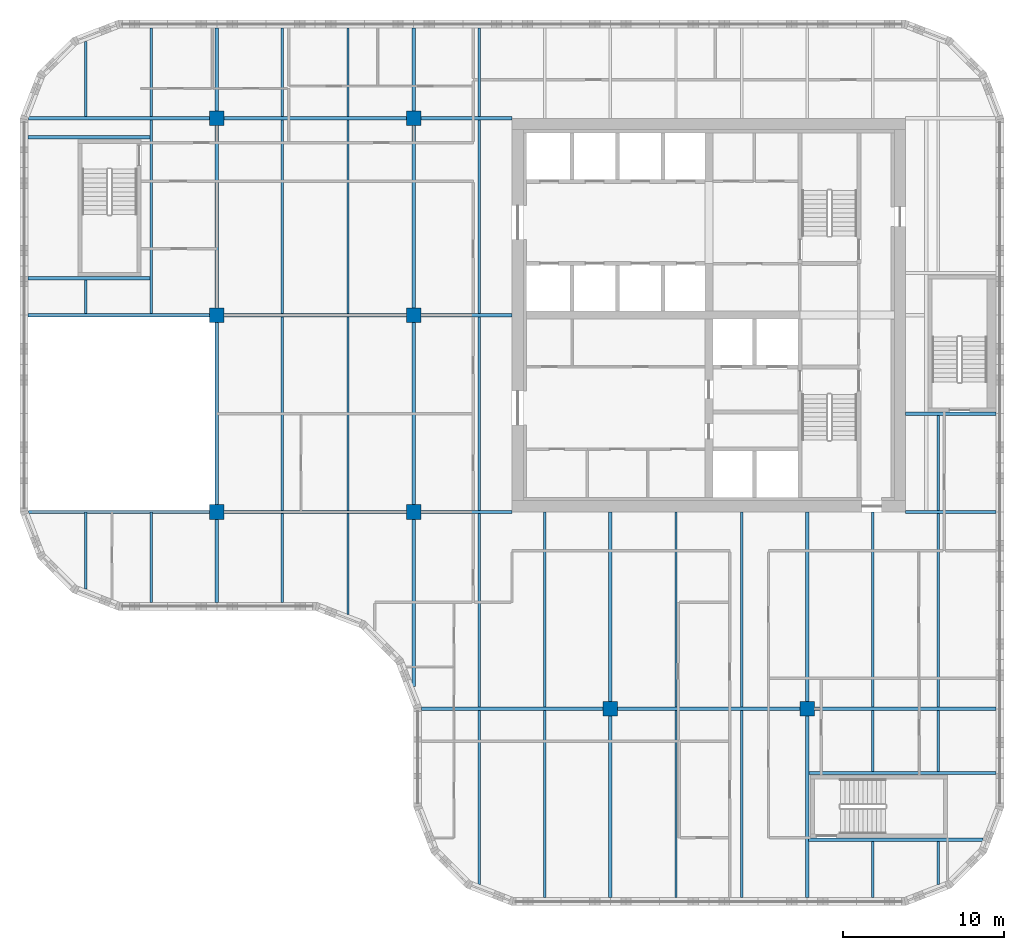
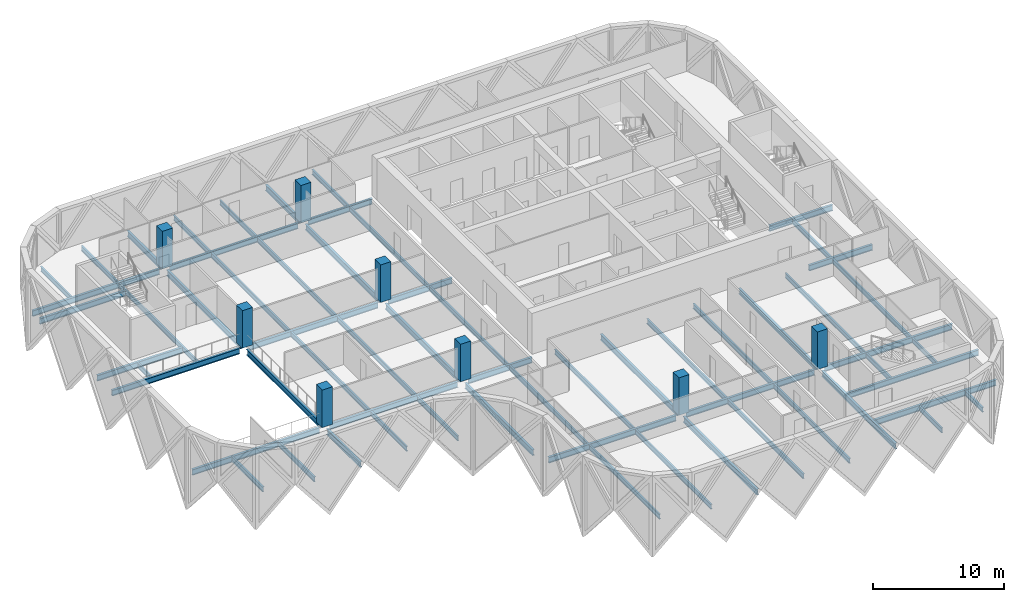
# One storey, part 1 of 15: 62 beams, 8 columns.
"""IFC4 building model written with IfcOpenShell, lengths in metres."""

from ifc_helpers import new_model, si_unit, direction, frame, origin, origin_2d, place, context, subcontext, project, spatial, rectangle, i_section, extrude, material, material_profile, profile_set, type_object, element, save


model = new_model("IFC4")

# Units and contexts
model_context = context("Model", 3, precision=1e-05, world=origin(), true_north=direction((0.0, 1.0)))
body_context = subcontext(model_context, "Body", "Model", "MODEL_VIEW")
ifc_project = project(units=[si_unit("LENGTHUNIT", "METRE"), si_unit("AREAUNIT", "SQUARE_METRE"), si_unit("VOLUMEUNIT", "CUBIC_METRE"), si_unit("PLANEANGLEUNIT", "RADIAN"), si_unit("MASSUNIT", "GRAM", prefix="KILO")], contexts=[model_context])

# Site, building, storey
site_placement = place(None, origin())
site = spatial("IfcSite", under=ifc_project, at=site_placement, CompositionType="ELEMENT")
building_placement = place(site_placement, origin())
building = spatial("IfcBuilding", under=site, at=building_placement, Name="Tessera Gate Towers", CompositionType="ELEMENT")
storey_placement = place(building_placement, frame((0.0, 0.0, 146.800048828125)))
storey = spatial("IfcBuildingStorey", under=building, at=storey_placement, Name="L36", CompositionType="ELEMENT", Elevation=146.800048828125)

# Columns
ifc_material_1 = material(Name="Concrete C70/85", Category="concrete")
ifc_material_profile_1 = material_profile(ifc_material_1, rectangle(XDim=0.89990234375, YDim=0.89990234375, at=origin_2d()), Name="RC 900x900")
ifc_profile_set_1 = profile_set([ifc_material_profile_1], Name="Concrete C70/85")
column_type = type_object("IfcColumnType", Name="COLUMN RC 900x900", PredefinedType="COLUMN", material=ifc_profile_set_1)
for number, where, z_axis, x_axis, name in (
    (1, (12.199951171875, 24.39990234375, 0.0), (0.0, 0.0, 1.0), (1.0, 0.0, 0.0), "T1-COL-2C-L36"),
    (2, (12.199951171875, 36.60009765625, 0.0), (0.0, 0.0, 1.0), (1.0, 0.0, 0.0), "T1-COL-2D-L36"),
    (3, (12.199951171875, 48.800048828125, 0.0), (0.0, 0.0, 1.0), (1.0, 0.0, 0.0), "T1-COL-2E-L36"),
    (4, (24.39990234375, 24.39990234375, 0.0), (0.0, 0.0, 1.0), (1.0, 0.0, 0.0), "T1-COL-3C-L36"),
    (5, (24.39990234375, 36.60009765625, 0.0), (0.0, 0.0, 1.0), (1.0, 0.0, 0.0), "T1-COL-3D-L36"),
    (6, (24.39990234375, 48.800048828125, 0.0), (0.0, 0.0, 1.0), (1.0, 0.0, 0.0), "T1-COL-3E-L36"),
    (7, (36.60009765625, 12.199951171875, 0.0), (0.0, 0.0, 1.0), (1.0, 0.0, 0.0), "T1-COL-4B-L36"),
    (8, (48.800048828125, 12.199951171875, 0.0), (0.0, 0.0, 1.0), (1.0, 0.0, 0.0), "T1-COL-5B-L36"),
):
    element("IfcColumn", number, at=place(storey_placement, frame(where, z_axis=z_axis, x_axis=x_axis)), inside=storey, type_object=column_type, Name=name, PredefinedType="COLUMN", context=body_context, shape_type="SweptSolid", body=[
        extrude(rectangle(XDim=0.89990234375, YDim=0.89990234375, at=origin_2d()), origin(), (0.0, 0.0, 1.0), 3.5),
    ])

# Beams
ifc_material_2 = material(Name="Steel 350W", Category="steel")
ifc_material_profile_2 = material_profile(ifc_material_2, i_section(OverallWidth=0.208984375, OverallDepth=0.532958984375, WebThickness=0.01025390625, FlangeThickness=0.015625, at=origin_2d()), Name="W530x92")
ifc_profile_set_2 = profile_set([ifc_material_profile_2], Name="Steel 350W")
beam_type_1 = type_object("IfcBeamType", Name="FLOOR GIRDER W530x92", PredefinedType="BEAM", material=ifc_profile_set_2)
beam_1_placement = place(storey_placement, frame((24.89892578125, 12.199951171875, -0.466552734375), z_axis=(1.0, 0.0, 0.0), x_axis=(0.0, 1.0, 0.0)))
element("IfcBeam", 9, at=beam_1_placement, inside=storey, type_object=beam_type_1, Name="T1-GD-L36-4222", PredefinedType="BEAM", context=body_context, shape_type="SweptSolid", body=[
    extrude(i_section(OverallWidth=0.208984375, OverallDepth=0.532958984375, WebThickness=0.01025390625, FlangeThickness=0.015625, at=origin_2d()), origin(), (0.0, 0.0, 1.0), 11.2509765625),
])
beam_2_placement = place(storey_placement, frame((37.050048828125, 12.199951171875, -0.466552734375), z_axis=(1.0, 0.0, 0.0), x_axis=(0.0, 1.0, 0.0)))
element("IfcBeam", 10, at=beam_2_placement, inside=storey, type_object=beam_type_1, Name="T1-GD-L36-4223", PredefinedType="BEAM", context=body_context, shape_type="SweptSolid", body=[
    extrude(i_section(OverallWidth=0.208984375, OverallDepth=0.532958984375, WebThickness=0.01025390625, FlangeThickness=0.015625, at=origin_2d()), origin(), (0.0, 0.0, 1.0), 11.300048828125),
])
beam_3_placement = place(storey_placement, frame((49.25, 12.199951171875, -0.466552734375), z_axis=(1.0, 0.0, 0.0), x_axis=(0.0, 1.0, 0.0)))
element("IfcBeam", 11, at=beam_3_placement, inside=storey, type_object=beam_type_1, Name="T1-GD-L36-4224", PredefinedType="BEAM", context=body_context, shape_type="SweptSolid", body=[
    extrude(i_section(OverallWidth=0.208984375, OverallDepth=0.532958984375, WebThickness=0.01025390625, FlangeThickness=0.015625, at=origin_2d()), origin(), (0.0, 0.0, 1.0), 11.2509765625),
])
beam_4_placement = place(storey_placement, frame((0.534912109375, 24.39990234375, -0.466552734375), z_axis=(1.0, 0.0, 0.0), x_axis=(0.0, 1.0, 0.0)))
element("IfcBeam", 12, at=beam_4_placement, inside=storey, type_object=beam_type_1, Name="T1-GD-L36-4225", PredefinedType="BEAM", context=body_context, shape_type="SweptSolid", body=[
    extrude(i_section(OverallWidth=0.208984375, OverallDepth=0.532958984375, WebThickness=0.01025390625, FlangeThickness=0.015625, at=origin_2d()), origin(), (0.0, 0.0, 1.0), 11.215087890625),
])
beam_5_placement = place(storey_placement, frame((12.64990234375, 24.39990234375, -0.466552734375), z_axis=(1.0, 0.0, 0.0), x_axis=(0.0, 1.0, 0.0)))
element("IfcBeam", 13, at=beam_5_placement, inside=storey, type_object=beam_type_1, Name="T1-GD-L36-4226", PredefinedType="BEAM", context=body_context, shape_type="SweptSolid", body=[
    extrude(i_section(OverallWidth=0.208984375, OverallDepth=0.532958984375, WebThickness=0.01025390625, FlangeThickness=0.015625, at=origin_2d()), origin(), (0.0, 0.0, 1.0), 11.300048828125),
])
beam_6_placement = place(storey_placement, frame((24.85009765625, 24.39990234375, -0.466552734375), z_axis=(1.0, 0.0, 0.0), x_axis=(0.0, 1.0, 0.0)))
element("IfcBeam", 14, at=beam_6_placement, inside=storey, type_object=beam_type_1, Name="T1-GD-L36-4227", PredefinedType="BEAM", context=body_context, shape_type="SweptSolid", body=[
    extrude(i_section(OverallWidth=0.208984375, OverallDepth=0.532958984375, WebThickness=0.01025390625, FlangeThickness=0.015625, at=origin_2d()), origin(), (0.0, 0.0, 1.0), 5.64892578125),
])
beam_7_placement = place(storey_placement, frame((54.90087890625, 24.39990234375, -0.466552734375), z_axis=(1.0, 0.0, 0.0), x_axis=(0.0, 1.0, 0.0)))
element("IfcBeam", 15, at=beam_7_placement, inside=storey, type_object=beam_type_1, Name="T1-GD-L36-4228", PredefinedType="BEAM", context=body_context, shape_type="SweptSolid", body=[
    extrude(i_section(OverallWidth=0.208984375, OverallDepth=0.532958984375, WebThickness=0.01025390625, FlangeThickness=0.015625, at=origin_2d()), origin(), (0.0, 0.0, 1.0), 5.60009765625),
])
beam_8_placement = place(storey_placement, frame((0.4990234375, 36.60009765625, -0.466552734375), z_axis=(1.0, 0.0, 0.0), x_axis=(0.0, 1.0, 0.0)))
element("IfcBeam", 16, at=beam_8_placement, inside=storey, type_object=beam_type_1, Name="T1-GD-L36-4229", PredefinedType="BEAM", context=body_context, shape_type="SweptSolid", body=[
    extrude(i_section(OverallWidth=0.208984375, OverallDepth=0.532958984375, WebThickness=0.01025390625, FlangeThickness=0.015625, at=origin_2d()), origin(), (0.0, 0.0, 1.0), 11.2509765625),
])
beam_9_placement = place(storey_placement, frame((12.64990234375, 36.60009765625, -0.466552734375), z_axis=(1.0, 0.0, 0.0), x_axis=(0.0, 1.0, 0.0)))
element("IfcBeam", 17, at=beam_9_placement, inside=storey, type_object=beam_type_1, Name="T1-GD-L36-4230", PredefinedType="BEAM", context=body_context, shape_type="SweptSolid", body=[
    extrude(i_section(OverallWidth=0.208984375, OverallDepth=0.532958984375, WebThickness=0.01025390625, FlangeThickness=0.015625, at=origin_2d()), origin(), (0.0, 0.0, 1.0), 11.300048828125),
])
beam_10_placement = place(storey_placement, frame((24.85009765625, 36.60009765625, -0.466552734375), z_axis=(1.0, 0.0, 0.0), x_axis=(0.0, 1.0, 0.0)))
element("IfcBeam", 18, at=beam_10_placement, inside=storey, type_object=beam_type_1, Name="T1-GD-L36-4231", PredefinedType="BEAM", context=body_context, shape_type="SweptSolid", body=[
    extrude(i_section(OverallWidth=0.208984375, OverallDepth=0.532958984375, WebThickness=0.01025390625, FlangeThickness=0.015625, at=origin_2d()), origin(), (0.0, 0.0, 1.0), 5.65087890625),
])
beam_11_placement = place(storey_placement, frame((0.534912109375, 48.800048828125, -0.466552734375), z_axis=(1.0, 0.0, 0.0), x_axis=(0.0, 1.0, 0.0)))
element("IfcBeam", 19, at=beam_11_placement, inside=storey, type_object=beam_type_1, Name="T1-GD-L36-4233", PredefinedType="BEAM", context=body_context, shape_type="SweptSolid", body=[
    extrude(i_section(OverallWidth=0.208984375, OverallDepth=0.532958984375, WebThickness=0.01025390625, FlangeThickness=0.015625, at=origin_2d()), origin(), (0.0, 0.0, 1.0), 11.215087890625),
])
beam_12_placement = place(storey_placement, frame((12.64990234375, 48.800048828125, -0.466552734375), z_axis=(1.0, 0.0, 0.0), x_axis=(0.0, 1.0, 0.0)))
element("IfcBeam", 20, at=beam_12_placement, inside=storey, type_object=beam_type_1, Name="T1-GD-L36-4234", PredefinedType="BEAM", context=body_context, shape_type="SweptSolid", body=[
    extrude(i_section(OverallWidth=0.208984375, OverallDepth=0.532958984375, WebThickness=0.01025390625, FlangeThickness=0.015625, at=origin_2d()), origin(), (0.0, 0.0, 1.0), 11.300048828125),
])
beam_13_placement = place(storey_placement, frame((24.85009765625, 48.800048828125, -0.466552734375), z_axis=(1.0, 0.0, 0.0), x_axis=(0.0, 1.0, 0.0)))
element("IfcBeam", 21, at=beam_13_placement, inside=storey, type_object=beam_type_1, Name="T1-GD-L36-4235", PredefinedType="BEAM", context=body_context, shape_type="SweptSolid", body=[
    extrude(i_section(OverallWidth=0.208984375, OverallDepth=0.532958984375, WebThickness=0.01025390625, FlangeThickness=0.015625, at=origin_2d()), origin(), (0.0, 0.0, 1.0), 5.64892578125),
])
beam_14_placement = place(storey_placement, frame((12.199951171875, 18.799072265625, -0.466552734375), z_axis=(0.0, 1.0, 0.0), x_axis=(-1.0, 0.0, 0.0)))
element("IfcBeam", 22, at=beam_14_placement, inside=storey, type_object=beam_type_1, Name="T1-GD-L36-4237", PredefinedType="BEAM", context=body_context, shape_type="SweptSolid", body=[
    extrude(i_section(OverallWidth=0.208984375, OverallDepth=0.532958984375, WebThickness=0.01025390625, FlangeThickness=0.015625, at=origin_2d()), origin(), (0.0, 0.0, 1.0), 5.15087890625),
])
beam_15_placement = place(storey_placement, frame((12.199951171875, 24.85009765625, -0.466552734375), z_axis=(0.0, 1.0, 0.0), x_axis=(-1.0, 0.0, 0.0)))
element("IfcBeam", 23, at=beam_15_placement, inside=storey, type_object=beam_type_1, Name="T1-GD-L36-4238", PredefinedType="BEAM", context=body_context, shape_type="SweptSolid", body=[
    extrude(i_section(OverallWidth=0.208984375, OverallDepth=0.532958984375, WebThickness=0.01025390625, FlangeThickness=0.015625, at=origin_2d()), origin(), (0.0, 0.0, 1.0), 11.2998046875),
])
beam_16_placement = place(storey_placement, frame((12.199951171875, 37.050048828125, -0.466552734375), z_axis=(0.0, 1.0, 0.0), x_axis=(-1.0, 0.0, 0.0)))
element("IfcBeam", 24, at=beam_16_placement, inside=storey, type_object=beam_type_1, Name="T1-GD-L36-4239", PredefinedType="BEAM", context=body_context, shape_type="SweptSolid", body=[
    extrude(i_section(OverallWidth=0.208984375, OverallDepth=0.532958984375, WebThickness=0.01025390625, FlangeThickness=0.015625, at=origin_2d()), origin(), (0.0, 0.0, 1.0), 11.300048828125),
])
beam_17_placement = place(storey_placement, frame((12.199951171875, 49.25, -0.466552734375), z_axis=(0.0, 1.0, 0.0), x_axis=(-1.0, 0.0, 0.0)))
element("IfcBeam", 25, at=beam_17_placement, inside=storey, type_object=beam_type_1, Name="T1-GD-L36-4240", PredefinedType="BEAM", context=body_context, shape_type="SweptSolid", body=[
    extrude(i_section(OverallWidth=0.208984375, OverallDepth=0.532958984375, WebThickness=0.01025390625, FlangeThickness=0.015625, at=origin_2d()), origin(), (0.0, 0.0, 1.0), 5.15087890625),
])
beam_18_placement = place(storey_placement, frame((24.39990234375, 13.58642578125, -0.466552734375), z_axis=(0.0, 1.0, 0.0), x_axis=(-1.0, 0.0, 0.0)))
element("IfcBeam", 26, at=beam_18_placement, inside=storey, type_object=beam_type_1, Name="T1-GD-L36-4241", PredefinedType="BEAM", context=body_context, shape_type="SweptSolid", body=[
    extrude(i_section(OverallWidth=0.208984375, OverallDepth=0.532958984375, WebThickness=0.01025390625, FlangeThickness=0.015625, at=origin_2d()), origin(), (0.0, 0.0, 1.0), 10.363525390625),
])
beam_19_placement = place(storey_placement, frame((24.39990234375, 24.85009765625, -0.466552734375), z_axis=(0.0, 1.0, 0.0), x_axis=(-1.0, 0.0, 0.0)))
element("IfcBeam", 27, at=beam_19_placement, inside=storey, type_object=beam_type_1, Name="T1-GD-L36-4242", PredefinedType="BEAM", context=body_context, shape_type="SweptSolid", body=[
    extrude(i_section(OverallWidth=0.208984375, OverallDepth=0.532958984375, WebThickness=0.01025390625, FlangeThickness=0.015625, at=origin_2d()), origin(), (0.0, 0.0, 1.0), 11.2998046875),
])
beam_20_placement = place(storey_placement, frame((24.39990234375, 37.050048828125, -0.466552734375), z_axis=(0.0, 1.0, 0.0), x_axis=(-1.0, 0.0, 0.0)))
element("IfcBeam", 28, at=beam_20_placement, inside=storey, type_object=beam_type_1, Name="T1-GD-L36-4243", PredefinedType="BEAM", context=body_context, shape_type="SweptSolid", body=[
    extrude(i_section(OverallWidth=0.208984375, OverallDepth=0.532958984375, WebThickness=0.01025390625, FlangeThickness=0.015625, at=origin_2d()), origin(), (0.0, 0.0, 1.0), 11.300048828125),
])
beam_21_placement = place(storey_placement, frame((24.39990234375, 49.25, -0.466552734375), z_axis=(0.0, 1.0, 0.0), x_axis=(-1.0, 0.0, 0.0)))
element("IfcBeam", 29, at=beam_21_placement, inside=storey, type_object=beam_type_1, Name="T1-GD-L36-4244", PredefinedType="BEAM", context=body_context, shape_type="SweptSolid", body=[
    extrude(i_section(OverallWidth=0.208984375, OverallDepth=0.532958984375, WebThickness=0.01025390625, FlangeThickness=0.015625, at=origin_2d()), origin(), (0.0, 0.0, 1.0), 5.15087890625),
])
beam_22_placement = place(storey_placement, frame((36.60009765625, 0.4990234375, -0.466552734375), z_axis=(0.0, 1.0, 0.0), x_axis=(-1.0, 0.0, 0.0)))
element("IfcBeam", 30, at=beam_22_placement, inside=storey, type_object=beam_type_1, Name="T1-GD-L36-4245", PredefinedType="BEAM", context=body_context, shape_type="SweptSolid", body=[
    extrude(i_section(OverallWidth=0.208984375, OverallDepth=0.532958984375, WebThickness=0.01025390625, FlangeThickness=0.015625, at=origin_2d()), origin(), (0.0, 0.0, 1.0), 11.2509765625),
])
beam_23_placement = place(storey_placement, frame((36.60009765625, 12.64990234375, -0.466552734375), z_axis=(0.0, 1.0, 0.0), x_axis=(-1.0, 0.0, 0.0)))
element("IfcBeam", 31, at=beam_23_placement, inside=storey, type_object=beam_type_1, Name="T1-GD-L36-4246", PredefinedType="BEAM", context=body_context, shape_type="SweptSolid", body=[
    extrude(i_section(OverallWidth=0.208984375, OverallDepth=0.532958984375, WebThickness=0.01025390625, FlangeThickness=0.015625, at=origin_2d()), origin(), (0.0, 0.0, 1.0), 11.75),
])
beam_24_placement = place(storey_placement, frame((48.800048828125, 0.4990234375, -0.466552734375), z_axis=(0.0, 1.0, 0.0), x_axis=(-1.0, 0.0, 0.0)))
element("IfcBeam", 32, at=beam_24_placement, inside=storey, type_object=beam_type_1, Name="T1-GD-L36-4247", PredefinedType="BEAM", context=body_context, shape_type="SweptSolid", body=[
    extrude(i_section(OverallWidth=0.208984375, OverallDepth=0.532958984375, WebThickness=0.01025390625, FlangeThickness=0.015625, at=origin_2d()), origin(), (0.0, 0.0, 1.0), 11.2509765625),
])
beam_25_placement = place(storey_placement, frame((48.800048828125, 12.64990234375, -0.466552734375), z_axis=(0.0, 1.0, 0.0), x_axis=(-1.0, 0.0, 0.0)))
element("IfcBeam", 33, at=beam_25_placement, inside=storey, type_object=beam_type_1, Name="T1-GD-L36-4248", PredefinedType="BEAM", context=body_context, shape_type="SweptSolid", body=[
    extrude(i_section(OverallWidth=0.208984375, OverallDepth=0.532958984375, WebThickness=0.01025390625, FlangeThickness=0.015625, at=origin_2d()), origin(), (0.0, 0.0, 1.0), 11.75),
])
for number, where, z_axis, x_axis, name in (
    (34, (0.4990234375, 38.8798828125, -0.466552734375), (1.0, 0.0, 0.0), (0.0, 1.0, 0.0), "T1-GD-L36-4249"),
    (35, (0.4990234375, 47.6201171875, -0.466552734375), (1.0, 0.0, 0.0), (0.0, 1.0, 0.0), "T1-GD-L36-4250"),
):
    element("IfcBeam", number, at=place(storey_placement, frame(where, z_axis=z_axis, x_axis=x_axis)), inside=storey, type_object=beam_type_1, Name=name, PredefinedType="BEAM", context=body_context, shape_type="SweptSolid", body=[
        extrude(i_section(OverallWidth=0.208984375, OverallDepth=0.532958984375, WebThickness=0.01025390625, FlangeThickness=0.015625, at=origin_2d()), origin(), (0.0, 0.0, 1.0), 7.557861328125),
    ])
beam_26_placement = place(storey_placement, frame((48.87646484375, 4.080078125, -0.466552734375), z_axis=(1.0, 0.0, 0.0), x_axis=(0.0, 1.0, 0.0)))
element("IfcBeam", 36, at=beam_26_placement, inside=storey, type_object=beam_type_1, Name="T1-GD-L36-4251", PredefinedType="BEAM", context=body_context, shape_type="SweptSolid", body=[
    extrude(i_section(OverallWidth=0.208984375, OverallDepth=0.532958984375, WebThickness=0.01025390625, FlangeThickness=0.015625, at=origin_2d()), origin(), (0.0, 0.0, 1.0), 10.809326171875),
])
beam_27_placement = place(storey_placement, frame((48.87646484375, 8.219970703125, -0.466552734375), z_axis=(1.0, 0.0, 0.0), x_axis=(0.0, 1.0, 0.0)))
element("IfcBeam", 37, at=beam_27_placement, inside=storey, type_object=beam_type_1, Name="T1-GD-L36-4252", PredefinedType="BEAM", context=body_context, shape_type="SweptSolid", body=[
    extrude(i_section(OverallWidth=0.208984375, OverallDepth=0.532958984375, WebThickness=0.01025390625, FlangeThickness=0.015625, at=origin_2d()), origin(), (0.0, 0.0, 1.0), 11.62451171875),
])
beam_28_placement = place(storey_placement, frame((54.89892578125, 30.47998046875, -0.466552734375), z_axis=(1.0, 0.0, 0.0), x_axis=(0.0, 1.0, 0.0)))
element("IfcBeam", 38, at=beam_28_placement, inside=storey, type_object=beam_type_1, Name="T1-GD-L36-4253", PredefinedType="BEAM", context=body_context, shape_type="SweptSolid", body=[
    extrude(i_section(OverallWidth=0.208984375, OverallDepth=0.532958984375, WebThickness=0.01025390625, FlangeThickness=0.015625, at=origin_2d()), origin(), (0.0, 0.0, 1.0), 5.60205078125),
])
ifc_material_3 = material(Name="Steel 350W", Category="steel")
ifc_material_profile_3 = material_profile(ifc_material_3, i_section(OverallWidth=0.153076171875, OverallDepth=0.455078125, WebThickness=0.008056640625, FlangeThickness=0.01318359375, at=origin_2d()), Name="W460x60")
ifc_profile_set_3 = profile_set([ifc_material_profile_3], Name="Steel 350W")
beam_type_2 = type_object("IfcBeamType", Name="FLOOR SECONDARY W460x60", PredefinedType="BEAM", material=ifc_profile_set_3)
beam_29_placement = place(storey_placement, frame((4.066650390625, 19.620361328125, -0.427490234375), z_axis=(0.0, 1.0, 0.0), x_axis=(-1.0, 0.0, 0.0)))
element("IfcBeam", 39, at=beam_29_placement, inside=storey, type_object=beam_type_2, Name="T1-BM-L36-4256", PredefinedType="BEAM", context=body_context, shape_type="SweptSolid", body=[
    extrude(i_section(OverallWidth=0.153076171875, OverallDepth=0.455078125, WebThickness=0.008056640625, FlangeThickness=0.01318359375, at=origin_2d()), origin(), (0.0, 0.0, 1.0), 4.779541015625),
])
beam_30_placement = place(storey_placement, frame((4.066650390625, 36.70458984375, -0.427490234375), z_axis=(0.0, 1.0, 0.0), x_axis=(-1.0, 0.0, 0.0)))
element("IfcBeam", 40, at=beam_30_placement, inside=storey, type_object=beam_type_2, Name="T1-BM-L36-4257", PredefinedType="BEAM", context=body_context, shape_type="SweptSolid", body=[
    extrude(i_section(OverallWidth=0.153076171875, OverallDepth=0.455078125, WebThickness=0.008056640625, FlangeThickness=0.01318359375, at=origin_2d()), origin(), (0.0, 0.0, 1.0), 2.07080078125),
])
beam_31_placement = place(storey_placement, frame((4.066650390625, 48.904541015625, -0.427490234375), z_axis=(0.0, 1.0, 0.0), x_axis=(-1.0, 0.0, 0.0)))
element("IfcBeam", 41, at=beam_31_placement, inside=storey, type_object=beam_type_2, Name="T1-BM-L36-4258", PredefinedType="BEAM", context=body_context, shape_type="SweptSolid", body=[
    extrude(i_section(OverallWidth=0.153076171875, OverallDepth=0.455078125, WebThickness=0.008056640625, FlangeThickness=0.01318359375, at=origin_2d()), origin(), (0.0, 0.0, 1.0), 4.675048828125),
])
beam_32_placement = place(storey_placement, frame((8.13330078125, 18.800048828125, -0.427490234375), z_axis=(0.0, 1.0, 0.0), x_axis=(-1.0, 0.0, 0.0)))
element("IfcBeam", 42, at=beam_32_placement, inside=storey, type_object=beam_type_2, Name="T1-BM-L36-4259", PredefinedType="BEAM", context=body_context, shape_type="SweptSolid", body=[
    extrude(i_section(OverallWidth=0.153076171875, OverallDepth=0.455078125, WebThickness=0.008056640625, FlangeThickness=0.01318359375, at=origin_2d()), origin(), (0.0, 0.0, 1.0), 5.599853515625),
])
beam_33_placement = place(storey_placement, frame((8.13330078125, 36.70458984375, -0.427490234375), z_axis=(0.0, 1.0, 0.0), x_axis=(-1.0, 0.0, 0.0)))
element("IfcBeam", 43, at=beam_33_placement, inside=storey, type_object=beam_type_2, Name="T1-BM-L36-4260", PredefinedType="BEAM", context=body_context, shape_type="SweptSolid", body=[
    extrude(i_section(OverallWidth=0.153076171875, OverallDepth=0.455078125, WebThickness=0.008056640625, FlangeThickness=0.01318359375, at=origin_2d()), origin(), (0.0, 0.0, 1.0), 11.990966796875),
])
for number, where, z_axis, x_axis, name in (
    (44, (8.13330078125, 48.904541015625, -0.427490234375), (0.0, 1.0, 0.0), (-1.0, 0.0, 0.0), "T1-BM-L36-4261"),
    (45, (16.2666015625, 18.800048828125, -0.427490234375), (0.0, 1.0, 0.0), (-1.0, 0.0, 0.0), "T1-BM-L36-4262"),
):
    element("IfcBeam", number, at=place(storey_placement, frame(where, z_axis=z_axis, x_axis=x_axis)), inside=storey, type_object=beam_type_2, Name=name, PredefinedType="BEAM", context=body_context, shape_type="SweptSolid", body=[
        extrude(i_section(OverallWidth=0.153076171875, OverallDepth=0.455078125, WebThickness=0.008056640625, FlangeThickness=0.01318359375, at=origin_2d()), origin(), (0.0, 0.0, 1.0), 5.495361328125),
    ])
beam_34_placement = place(storey_placement, frame((16.2666015625, 24.50439453125, -0.427490234375), z_axis=(0.0, 1.0, 0.0), x_axis=(-1.0, 0.0, 0.0)))
element("IfcBeam", 46, at=beam_34_placement, inside=storey, type_object=beam_type_2, Name="T1-BM-L36-4263", PredefinedType="BEAM", context=body_context, shape_type="SweptSolid", body=[
    extrude(i_section(OverallWidth=0.153076171875, OverallDepth=0.455078125, WebThickness=0.008056640625, FlangeThickness=0.01318359375, at=origin_2d()), origin(), (0.0, 0.0, 1.0), 11.9912109375),
])
beam_35_placement = place(storey_placement, frame((16.2666015625, 36.70458984375, -0.427490234375), z_axis=(0.0, 1.0, 0.0), x_axis=(-1.0, 0.0, 0.0)))
element("IfcBeam", 47, at=beam_35_placement, inside=storey, type_object=beam_type_2, Name="T1-BM-L36-4264", PredefinedType="BEAM", context=body_context, shape_type="SweptSolid", body=[
    extrude(i_section(OverallWidth=0.153076171875, OverallDepth=0.455078125, WebThickness=0.008056640625, FlangeThickness=0.01318359375, at=origin_2d()), origin(), (0.0, 0.0, 1.0), 11.990966796875),
])
beam_36_placement = place(storey_placement, frame((16.2666015625, 48.904541015625, -0.427490234375), z_axis=(0.0, 1.0, 0.0), x_axis=(-1.0, 0.0, 0.0)))
element("IfcBeam", 48, at=beam_36_placement, inside=storey, type_object=beam_type_2, Name="T1-BM-L36-4265", PredefinedType="BEAM", context=body_context, shape_type="SweptSolid", body=[
    extrude(i_section(OverallWidth=0.153076171875, OverallDepth=0.455078125, WebThickness=0.008056640625, FlangeThickness=0.01318359375, at=origin_2d()), origin(), (0.0, 0.0, 1.0), 5.495361328125),
])
beam_37_placement = place(storey_placement, frame((20.333251953125, 18.051513671875, -0.427490234375), z_axis=(0.0, 1.0, 0.0), x_axis=(-1.0, 0.0, 0.0)))
element("IfcBeam", 49, at=beam_37_placement, inside=storey, type_object=beam_type_2, Name="T1-BM-L36-4266", PredefinedType="BEAM", context=body_context, shape_type="SweptSolid", body=[
    extrude(i_section(OverallWidth=0.153076171875, OverallDepth=0.455078125, WebThickness=0.008056640625, FlangeThickness=0.01318359375, at=origin_2d()), origin(), (0.0, 0.0, 1.0), 6.243896484375),
])
beam_38_placement = place(storey_placement, frame((20.333251953125, 24.50439453125, -0.427490234375), z_axis=(0.0, 1.0, 0.0), x_axis=(-1.0, 0.0, 0.0)))
element("IfcBeam", 50, at=beam_38_placement, inside=storey, type_object=beam_type_2, Name="T1-BM-L36-4267", PredefinedType="BEAM", context=body_context, shape_type="SweptSolid", body=[
    extrude(i_section(OverallWidth=0.153076171875, OverallDepth=0.455078125, WebThickness=0.008056640625, FlangeThickness=0.01318359375, at=origin_2d()), origin(), (0.0, 0.0, 1.0), 11.9912109375),
])
beam_39_placement = place(storey_placement, frame((20.333251953125, 36.70458984375, -0.427490234375), z_axis=(0.0, 1.0, 0.0), x_axis=(-1.0, 0.0, 0.0)))
element("IfcBeam", 51, at=beam_39_placement, inside=storey, type_object=beam_type_2, Name="T1-BM-L36-4268", PredefinedType="BEAM", context=body_context, shape_type="SweptSolid", body=[
    extrude(i_section(OverallWidth=0.153076171875, OverallDepth=0.455078125, WebThickness=0.008056640625, FlangeThickness=0.01318359375, at=origin_2d()), origin(), (0.0, 0.0, 1.0), 11.990966796875),
])
beam_40_placement = place(storey_placement, frame((20.333251953125, 48.904541015625, -0.427490234375), z_axis=(0.0, 1.0, 0.0), x_axis=(-1.0, 0.0, 0.0)))
element("IfcBeam", 52, at=beam_40_placement, inside=storey, type_object=beam_type_2, Name="T1-BM-L36-4269", PredefinedType="BEAM", context=body_context, shape_type="SweptSolid", body=[
    extrude(i_section(OverallWidth=0.153076171875, OverallDepth=0.455078125, WebThickness=0.008056640625, FlangeThickness=0.01318359375, at=origin_2d()), origin(), (0.0, 0.0, 1.0), 5.495361328125),
])
beam_41_placement = place(storey_placement, frame((28.466796875, 1.3203125, -0.427490234375), z_axis=(0.0, 1.0, 0.0), x_axis=(-1.0, 0.0, 0.0)))
element("IfcBeam", 53, at=beam_41_placement, inside=storey, type_object=beam_type_2, Name="T1-BM-L36-4270", PredefinedType="BEAM", context=body_context, shape_type="SweptSolid", body=[
    extrude(i_section(OverallWidth=0.153076171875, OverallDepth=0.455078125, WebThickness=0.008056640625, FlangeThickness=0.01318359375, at=origin_2d()), origin(), (0.0, 0.0, 1.0), 10.775146484375),
])
beam_42_placement = place(storey_placement, frame((28.466796875, 12.304443359375, -0.427490234375), z_axis=(0.0, 1.0, 0.0), x_axis=(-1.0, 0.0, 0.0)))
element("IfcBeam", 54, at=beam_42_placement, inside=storey, type_object=beam_type_2, Name="T1-BM-L36-4271", PredefinedType="BEAM", context=body_context, shape_type="SweptSolid", body=[
    extrude(i_section(OverallWidth=0.153076171875, OverallDepth=0.455078125, WebThickness=0.008056640625, FlangeThickness=0.01318359375, at=origin_2d()), origin(), (0.0, 0.0, 1.0), 11.990966796875),
])
beam_43_placement = place(storey_placement, frame((28.466796875, 24.50439453125, -0.427490234375), z_axis=(0.0, 1.0, 0.0), x_axis=(-1.0, 0.0, 0.0)))
element("IfcBeam", 55, at=beam_43_placement, inside=storey, type_object=beam_type_2, Name="T1-BM-L36-4272", PredefinedType="BEAM", context=body_context, shape_type="SweptSolid", body=[
    extrude(i_section(OverallWidth=0.153076171875, OverallDepth=0.455078125, WebThickness=0.008056640625, FlangeThickness=0.01318359375, at=origin_2d()), origin(), (0.0, 0.0, 1.0), 11.9912109375),
])
beam_44_placement = place(storey_placement, frame((28.466796875, 36.70458984375, -0.427490234375), z_axis=(0.0, 1.0, 0.0), x_axis=(-1.0, 0.0, 0.0)))
element("IfcBeam", 56, at=beam_44_placement, inside=storey, type_object=beam_type_2, Name="T1-BM-L36-4273", PredefinedType="BEAM", context=body_context, shape_type="SweptSolid", body=[
    extrude(i_section(OverallWidth=0.153076171875, OverallDepth=0.455078125, WebThickness=0.008056640625, FlangeThickness=0.01318359375, at=origin_2d()), origin(), (0.0, 0.0, 1.0), 11.990966796875),
])
beam_45_placement = place(storey_placement, frame((28.466796875, 48.904541015625, -0.427490234375), z_axis=(0.0, 1.0, 0.0), x_axis=(-1.0, 0.0, 0.0)))
element("IfcBeam", 57, at=beam_45_placement, inside=storey, type_object=beam_type_2, Name="T1-BM-L36-4274", PredefinedType="BEAM", context=body_context, shape_type="SweptSolid", body=[
    extrude(i_section(OverallWidth=0.153076171875, OverallDepth=0.455078125, WebThickness=0.008056640625, FlangeThickness=0.01318359375, at=origin_2d()), origin(), (0.0, 0.0, 1.0), 5.495361328125),
])
beam_46_placement = place(storey_placement, frame((32.533203125, 0.5, -0.427490234375), z_axis=(0.0, 1.0, 0.0), x_axis=(-1.0, 0.0, 0.0)))
element("IfcBeam", 58, at=beam_46_placement, inside=storey, type_object=beam_type_2, Name="T1-BM-L36-4275", PredefinedType="BEAM", context=body_context, shape_type="SweptSolid", body=[
    extrude(i_section(OverallWidth=0.153076171875, OverallDepth=0.455078125, WebThickness=0.008056640625, FlangeThickness=0.01318359375, at=origin_2d()), origin(), (0.0, 0.0, 1.0), 11.595458984375),
])
beam_47_placement = place(storey_placement, frame((32.533203125, 12.304443359375, -0.427490234375), z_axis=(0.0, 1.0, 0.0), x_axis=(-1.0, 0.0, 0.0)))
element("IfcBeam", 59, at=beam_47_placement, inside=storey, type_object=beam_type_2, Name="T1-BM-L36-4276", PredefinedType="BEAM", context=body_context, shape_type="SweptSolid", body=[
    extrude(i_section(OverallWidth=0.153076171875, OverallDepth=0.455078125, WebThickness=0.008056640625, FlangeThickness=0.01318359375, at=origin_2d()), origin(), (0.0, 0.0, 1.0), 12.095458984375),
])
beam_48_placement = place(storey_placement, frame((40.666748046875, 0.5, -0.427490234375), z_axis=(0.0, 1.0, 0.0), x_axis=(-1.0, 0.0, 0.0)))
element("IfcBeam", 60, at=beam_48_placement, inside=storey, type_object=beam_type_2, Name="T1-BM-L36-4279", PredefinedType="BEAM", context=body_context, shape_type="SweptSolid", body=[
    extrude(i_section(OverallWidth=0.153076171875, OverallDepth=0.455078125, WebThickness=0.008056640625, FlangeThickness=0.01318359375, at=origin_2d()), origin(), (0.0, 0.0, 1.0), 11.595458984375),
])
beam_49_placement = place(storey_placement, frame((40.666748046875, 12.304443359375, -0.427490234375), z_axis=(0.0, 1.0, 0.0), x_axis=(-1.0, 0.0, 0.0)))
element("IfcBeam", 61, at=beam_49_placement, inside=storey, type_object=beam_type_2, Name="T1-BM-L36-4280", PredefinedType="BEAM", context=body_context, shape_type="SweptSolid", body=[
    extrude(i_section(OverallWidth=0.153076171875, OverallDepth=0.455078125, WebThickness=0.008056640625, FlangeThickness=0.01318359375, at=origin_2d()), origin(), (0.0, 0.0, 1.0), 12.095458984375),
])
beam_50_placement = place(storey_placement, frame((44.7333984375, 0.5, -0.427490234375), z_axis=(0.0, 1.0, 0.0), x_axis=(-1.0, 0.0, 0.0)))
element("IfcBeam", 62, at=beam_50_placement, inside=storey, type_object=beam_type_2, Name="T1-BM-L36-4282", PredefinedType="BEAM", context=body_context, shape_type="SweptSolid", body=[
    extrude(i_section(OverallWidth=0.153076171875, OverallDepth=0.455078125, WebThickness=0.008056640625, FlangeThickness=0.01318359375, at=origin_2d()), origin(), (0.0, 0.0, 1.0), 11.595458984375),
])
beam_51_placement = place(storey_placement, frame((44.7333984375, 12.304443359375, -0.427490234375), z_axis=(0.0, 1.0, 0.0), x_axis=(-1.0, 0.0, 0.0)))
element("IfcBeam", 63, at=beam_51_placement, inside=storey, type_object=beam_type_2, Name="T1-BM-L36-4283", PredefinedType="BEAM", context=body_context, shape_type="SweptSolid", body=[
    extrude(i_section(OverallWidth=0.153076171875, OverallDepth=0.455078125, WebThickness=0.008056640625, FlangeThickness=0.01318359375, at=origin_2d()), origin(), (0.0, 0.0, 1.0), 12.095458984375),
])
beam_52_placement = place(storey_placement, frame((52.86669921875, 0.5, -0.427490234375), z_axis=(0.0, 1.0, 0.0), x_axis=(-1.0, 0.0, 0.0)))
element("IfcBeam", 64, at=beam_52_placement, inside=storey, type_object=beam_type_2, Name="T1-BM-L36-4286", PredefinedType="BEAM", context=body_context, shape_type="SweptSolid", body=[
    extrude(i_section(OverallWidth=0.153076171875, OverallDepth=0.455078125, WebThickness=0.008056640625, FlangeThickness=0.01318359375, at=origin_2d()), origin(), (0.0, 0.0, 1.0), 3.4755859375),
])
beam_53_placement = place(storey_placement, frame((52.86669921875, 8.324462890625, -0.427490234375), z_axis=(0.0, 1.0, 0.0), x_axis=(-1.0, 0.0, 0.0)))
element("IfcBeam", 65, at=beam_53_placement, inside=storey, type_object=beam_type_2, Name="T1-BM-L36-4287", PredefinedType="BEAM", context=body_context, shape_type="SweptSolid", body=[
    extrude(i_section(OverallWidth=0.153076171875, OverallDepth=0.455078125, WebThickness=0.008056640625, FlangeThickness=0.01318359375, at=origin_2d()), origin(), (0.0, 0.0, 1.0), 3.77099609375),
])
beam_54_placement = place(storey_placement, frame((52.86669921875, 12.304443359375, -0.427490234375), z_axis=(0.0, 1.0, 0.0), x_axis=(-1.0, 0.0, 0.0)))
element("IfcBeam", 66, at=beam_54_placement, inside=storey, type_object=beam_type_2, Name="T1-BM-L36-4288", PredefinedType="BEAM", context=body_context, shape_type="SweptSolid", body=[
    extrude(i_section(OverallWidth=0.153076171875, OverallDepth=0.455078125, WebThickness=0.008056640625, FlangeThickness=0.01318359375, at=origin_2d()), origin(), (0.0, 0.0, 1.0), 12.095458984375),
])
beam_55_placement = place(storey_placement, frame((56.933349609375, 1.3203125, -0.427490234375), z_axis=(0.0, 1.0, 0.0), x_axis=(-1.0, 0.0, 0.0)))
element("IfcBeam", 67, at=beam_55_placement, inside=storey, type_object=beam_type_2, Name="T1-BM-L36-4290", PredefinedType="BEAM", context=body_context, shape_type="SweptSolid", body=[
    extrude(i_section(OverallWidth=0.153076171875, OverallDepth=0.455078125, WebThickness=0.008056640625, FlangeThickness=0.01318359375, at=origin_2d()), origin(), (0.0, 0.0, 1.0), 2.6552734375),
])
beam_56_placement = place(storey_placement, frame((56.933349609375, 8.324462890625, -0.427490234375), z_axis=(0.0, 1.0, 0.0), x_axis=(-1.0, 0.0, 0.0)))
element("IfcBeam", 68, at=beam_56_placement, inside=storey, type_object=beam_type_2, Name="T1-BM-L36-4291", PredefinedType="BEAM", context=body_context, shape_type="SweptSolid", body=[
    extrude(i_section(OverallWidth=0.153076171875, OverallDepth=0.455078125, WebThickness=0.008056640625, FlangeThickness=0.01318359375, at=origin_2d()), origin(), (0.0, 0.0, 1.0), 3.77099609375),
])
beam_57_placement = place(storey_placement, frame((56.933349609375, 12.304443359375, -0.427490234375), z_axis=(0.0, 1.0, 0.0), x_axis=(-1.0, 0.0, 0.0)))
element("IfcBeam", 69, at=beam_57_placement, inside=storey, type_object=beam_type_2, Name="T1-BM-L36-4292", PredefinedType="BEAM", context=body_context, shape_type="SweptSolid", body=[
    extrude(i_section(OverallWidth=0.153076171875, OverallDepth=0.455078125, WebThickness=0.008056640625, FlangeThickness=0.01318359375, at=origin_2d()), origin(), (0.0, 0.0, 1.0), 11.990966796875),
])
beam_58_placement = place(storey_placement, frame((56.933349609375, 24.50439453125, -0.427490234375), z_axis=(0.0, 1.0, 0.0), x_axis=(-1.0, 0.0, 0.0)))
element("IfcBeam", 70, at=beam_58_placement, inside=storey, type_object=beam_type_2, Name="T1-BM-L36-4293", PredefinedType="BEAM", context=body_context, shape_type="SweptSolid", body=[
    extrude(i_section(OverallWidth=0.153076171875, OverallDepth=0.455078125, WebThickness=0.008056640625, FlangeThickness=0.01318359375, at=origin_2d()), origin(), (0.0, 0.0, 1.0), 5.87109375),
])

save(model, "model.ifc")
